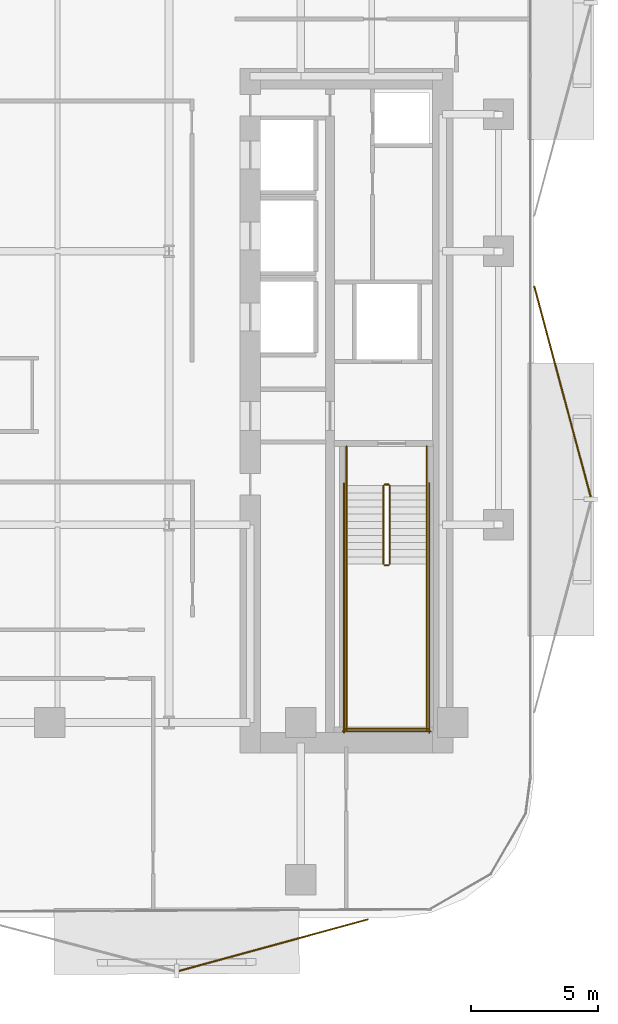
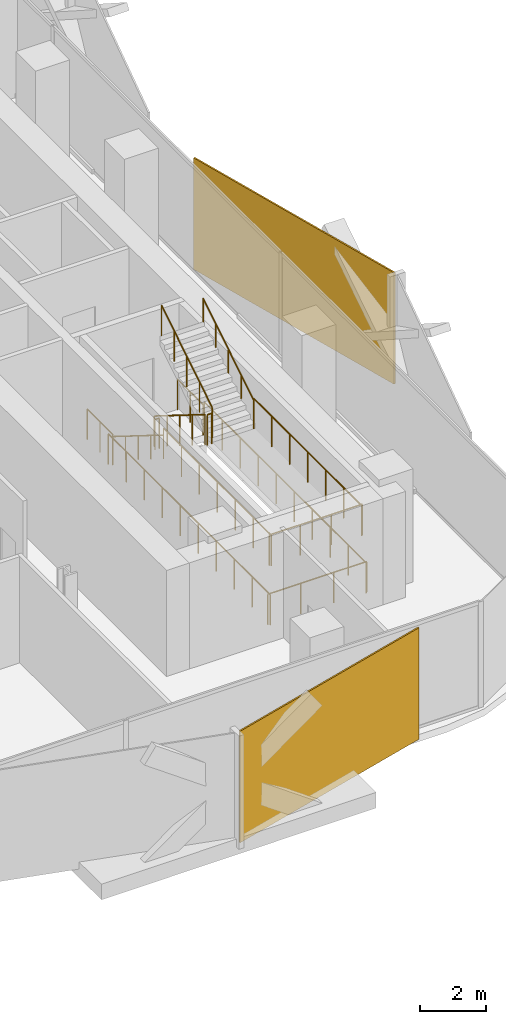
# One storey, part 13 of 15: 14 railings, 2 coverings.
"""IFC4 building model written with IfcOpenShell, lengths in metres."""

from ifc_helpers import new_model, si_unit, direction, frame, origin, origin_2d, place, context, subcontext, project, spatial, rectangle, circle, extrude, material, layer, layer_set, type_object, element, save


model = new_model("IFC4")

# Units and contexts
model_context = context("Model", 3, precision=1e-05, world=origin(), true_north=direction((0.0, 1.0)))
body_context = subcontext(model_context, "Body", "Model", "MODEL_VIEW")
ifc_project = project(units=[si_unit("LENGTHUNIT", "METRE"), si_unit("AREAUNIT", "SQUARE_METRE"), si_unit("VOLUMEUNIT", "CUBIC_METRE"), si_unit("PLANEANGLEUNIT", "RADIAN"), si_unit("MASSUNIT", "GRAM", prefix="KILO")], contexts=[model_context])

# Site, building, storey
site_placement = place(None, origin())
site = spatial("IfcSite", under=ifc_project, at=site_placement, CompositionType="ELEMENT")
building_placement = place(site_placement, origin())
building = spatial("IfcBuilding", under=site, at=building_placement, Name="Khairoan Windgate Tower", CompositionType="ELEMENT")
storey_placement = place(building_placement, frame((0.0, 0.0, 135.199951171875)))
storey = spatial("IfcBuildingStorey", under=building, at=storey_placement, Name="L31", CompositionType="ELEMENT", Elevation=135.199951171875)

# Coverings
ifc_material_1 = material(Name="Anodised Bronze Aluminium 6063-T6", Category="aluminium")
ifc_layer = layer(ifc_material_1, 0.054931640625, Name="Anodised Bronze Aluminium 6063-T6")
ifc_layer_set = layer_set([ifc_layer], Name="Anodised Bronze Aluminium 6063-T6")
covering_type = type_object("IfcCoveringType", Name="Perforated Bronze-Ceramic Folded Solar Screen Cladding BSC-1", PredefinedType="CLADDING", material=ifc_layer_set)
covering_1_placement = place(storey_placement, frame((13.326904296875, -27.384765625, -0.10009765625), z_axis=(0.0, 0.0, 1.0), x_axis=(-0.964649468762, -0.263536339841, 0.0)))
element("IfcCovering", 1, at=covering_1_placement, inside=storey, type_object=covering_type, Name="L31 Folded Bronze Solar Screen Facet 193L", PredefinedType="CLADDING", context=body_context, shape_type="SweptSolid", body=[
    extrude(rectangle(XDim=7.739013671875, YDim=0.054931640625, at=origin_2d()), origin(), (0.0, 0.0, 1.0), 4.139892578125),
])
covering_2_placement = place(storey_placement, frame((24.724609375, -5.542236328125, -0.10009765625), z_axis=(0.0, 0.0, 1.0), x_axis=(0.258819045103, -0.965925826289, 0.0)))
element("IfcCovering", 2, at=covering_2_placement, inside=storey, type_object=covering_type, Name="L31 Folded Bronze Solar Screen Facet 200L", PredefinedType="CLADDING", context=body_context, shape_type="SweptSolid", body=[
    extrude(rectangle(XDim=8.6201171875, YDim=0.054931640625, at=origin_2d()), origin(), (0.0, 0.0, 1.0), 4.139892578125),
])

# Railings
ifc_material_2 = material(Name="Anodised Bronze Aluminium 6063-T6", Category="aluminium")
railing_type_1 = type_object("IfcRailingType", Name="Stair Wall Handrail SHR-900", PredefinedType="HANDRAIL", material=ifc_material_2)
railing_1_placement = place(storey_placement, frame((16.199951171875, -9.260009765625, 0.175048828125)))
element("IfcRailing", 3, at=railing_1_placement, inside=storey, type_object=railing_type_1, Name="L31 ST1 stair handrail 1", PredefinedType="HANDRAIL", context=body_context, shape_type="SweptSolid", body=[
    extrude(circle(Radius=0.02392578125, at=origin_2d()), frame((0.0, 0.0, 0.8759765625), z_axis=(0.0, -0.847998304005, 0.529998940003), x_axis=(1.0, 0.0, 0.0)), (0.0, 0.0, 1.0), 3.632080078125),
    extrude(circle(Radius=0.02099609375, at=origin_2d()), origin(), (0.0, 0.0, 1.0), 0.851806640625),
    extrude(circle(Radius=0.02099609375, at=origin_2d()), frame((0.0, -0.77001953125, 0.481201171875)), (0.0, 0.0, 1.0), 0.851806640625),
    extrude(circle(Radius=0.02099609375, at=origin_2d()), frame((0.0, -1.5400390625, 0.96240234375)), (0.0, 0.0, 1.0), 0.851806640625),
    extrude(circle(Radius=0.02099609375, at=origin_2d()), frame((0.0, -2.31005859375, 1.44384765625)), (0.0, 0.0, 1.0), 0.851806640625),
    extrude(circle(Radius=0.02099609375, at=origin_2d()), frame((0.0, -3.080078125, 1.925048828125)), (0.0, 0.0, 1.0), 0.851806640625),
])
railing_2_placement = place(storey_placement, frame((19.3701171875, -12.340087890625, 2.275146484375)))
element("IfcRailing", 4, at=railing_2_placement, inside=storey, type_object=railing_type_1, Name="L31 ST1 stair handrail 2", PredefinedType="HANDRAIL", context=body_context, shape_type="SweptSolid", body=[
    extrude(circle(Radius=0.02392578125, at=origin_2d()), frame((0.0, 0.0, 0.8759765625), z_axis=(0.0, 0.848028513186, 0.529950602248), x_axis=(-1.0, 0.0, 0.0)), (0.0, 0.0, 1.0), 3.632080078125),
    extrude(circle(Radius=0.02099609375, at=origin_2d()), origin(), (0.0, 0.0, 1.0), 0.851806640625),
    extrude(circle(Radius=0.02099609375, at=origin_2d()), frame((0.0, 0.77001953125, 0.481201171875)), (0.0, 0.0, 1.0), 0.851806640625),
    extrude(circle(Radius=0.02099609375, at=origin_2d()), frame((0.0, 1.5400390625, 0.96240234375)), (0.0, 0.0, 1.0), 0.851806640625),
    extrude(circle(Radius=0.02099609375, at=origin_2d()), frame((0.0, 2.31005859375, 1.443603515625)), (0.0, 0.0, 1.0), 0.851806640625),
    extrude(circle(Radius=0.02099609375, at=origin_2d()), frame((0.0, 3.080078125, 1.9248046875)), (0.0, 0.0, 1.0), 0.851806640625),
])
ifc_material_3 = material(Name="Steel S355", Category="steel")
railing_type_2 = type_object("IfcRailingType", Name="Stairwell Safety Guardrail SGR-1150", PredefinedType="GUARDRAIL", material=ifc_material_3)
railing_3_placement = place(storey_placement, frame((17.659912109375, -9.260009765625, 0.175048828125)))
element("IfcRailing", 5, at=railing_3_placement, inside=storey, type_object=railing_type_2, Name="L31 ST1 stair guard 1", PredefinedType="GUARDRAIL", context=body_context, shape_type="SweptSolid", body=[
    extrude(circle(Radius=0.02392578125, at=origin_2d()), frame((0.0, 0.0, 1.1259765625), z_axis=(0.0, -0.847998304005, 0.529998940003), x_axis=(1.0, 0.0, 0.0)), (0.0, 0.0, 1.0), 3.632080078125),
    extrude(circle(Radius=0.02099609375, at=origin_2d()), origin(), (0.0, 0.0, 1.0), 1.101806640625),
    extrude(circle(Radius=0.02099609375, at=origin_2d()), frame((0.0, -0.77001953125, 0.481201171875)), (0.0, 0.0, 1.0), 1.101806640625),
    extrude(circle(Radius=0.02099609375, at=origin_2d()), frame((0.0, -1.5400390625, 0.96240234375)), (0.0, 0.0, 1.0), 1.101806640625),
    extrude(circle(Radius=0.02099609375, at=origin_2d()), frame((0.0, -2.31005859375, 1.44384765625)), (0.0, 0.0, 1.0), 1.101806640625),
    extrude(circle(Radius=0.02099609375, at=origin_2d()), frame((0.0, -3.080078125, 1.925048828125)), (0.0, 0.0, 1.0), 1.101806640625),
])
railing_4_placement = place(storey_placement, frame((17.7099609375, -12.389892578125, 2.10009765625)))
element("IfcRailing", 6, at=railing_4_placement, inside=storey, type_object=railing_type_2, Name="L31 ST1 stair guard 2", PredefinedType="GUARDRAIL", context=body_context, shape_type="SweptSolid", body=[
    extrude(circle(Radius=0.02392578125, at=origin_2d()), frame((0.0, 0.0, 1.1259765625), z_axis=(1.0, 0.0, 0.0), x_axis=(0.0, 1.0, 0.0)), (0.0, 0.0, 1.0), 0.150146484375),
    extrude(circle(Radius=0.02099609375, at=origin_2d()), origin(), (0.0, 0.0, 1.0), 1.101806640625),
    extrude(circle(Radius=0.02099609375, at=origin_2d()), frame((0.150146484375, 0.0, 0.0)), (0.0, 0.0, 1.0), 1.101806640625),
])
for number, where, name in (
    (7, (16.199951171875, -12.340087890625, 2.10009765625), "L31 ST1 stair guard 3"),
    (8, (19.3701171875, -12.340087890625, 2.10009765625), "L31 ST1 stair guard 4"),
):
    element("IfcRailing", number, at=place(storey_placement, frame(where)), inside=storey, type_object=railing_type_2, Name=name, PredefinedType="GUARDRAIL", context=body_context, shape_type="SweptSolid", body=[
        extrude(circle(Radius=0.02392578125, at=origin_2d()), frame((0.0, 0.0, 1.1259765625), z_axis=(0.0, -1.0, 0.0), x_axis=(1.0, 0.0, 0.0)), (0.0, 0.0, 1.0), 6.559814453125),
        extrude(circle(Radius=0.02099609375, at=origin_2d()), origin(), (0.0, 0.0, 1.0), 1.101806640625),
        extrude(circle(Radius=0.02099609375, at=origin_2d()), frame((0.0, -1.09326171875, 0.0)), (0.0, 0.0, 1.0), 1.101806640625),
        extrude(circle(Radius=0.02099609375, at=origin_2d()), frame((0.0, -2.1865234375, 0.0)), (0.0, 0.0, 1.0), 1.101806640625),
        extrude(circle(Radius=0.02099609375, at=origin_2d()), frame((0.0, -3.27978515625, 0.0)), (0.0, 0.0, 1.0), 1.101806640625),
        extrude(circle(Radius=0.02099609375, at=origin_2d()), frame((0.0, -4.373291015625, 0.0)), (0.0, 0.0, 1.0), 1.101806640625),
        extrude(circle(Radius=0.02099609375, at=origin_2d()), frame((0.0, -5.466552734375, 0.0)), (0.0, 0.0, 1.0), 1.101806640625),
        extrude(circle(Radius=0.02099609375, at=origin_2d()), frame((0.0, -6.559814453125, 0.0)), (0.0, 0.0, 1.0), 1.101806640625),
    ])
railing_5_placement = place(storey_placement, frame((16.14990234375, -18.85009765625, 2.10009765625)))
element("IfcRailing", 9, at=railing_5_placement, inside=storey, type_object=railing_type_2, Name="L31 ST1 stair guard 5", PredefinedType="GUARDRAIL", context=body_context, shape_type="SweptSolid", body=[
    extrude(circle(Radius=0.02392578125, at=origin_2d()), frame((0.0, 0.0, 1.1259765625), z_axis=(1.0, 0.0, 0.0), x_axis=(0.0, 1.0, 0.0)), (0.0, 0.0, 1.0), 3.27001953125),
    extrude(circle(Radius=0.02099609375, at=origin_2d()), origin(), (0.0, 0.0, 1.0), 1.101806640625),
    extrude(circle(Radius=0.02099609375, at=origin_2d()), frame((1.090087890625, 0.0, 0.0)), (0.0, 0.0, 1.0), 1.101806640625),
    extrude(circle(Radius=0.02099609375, at=origin_2d()), frame((2.179931640625, 0.0, 0.0)), (0.0, 0.0, 1.0), 1.101806640625),
    extrude(circle(Radius=0.02099609375, at=origin_2d()), frame((3.27001953125, 0.0, 0.0)), (0.0, 0.0, 1.0), 1.101806640625),
])
railing_6_placement = place(storey_placement, frame((17.909912109375, -12.340087890625, 2.275146484375)))
element("IfcRailing", 10, at=railing_6_placement, inside=storey, type_object=railing_type_2, Name="L31 ST1 stair guard 6", PredefinedType="GUARDRAIL", context=body_context, shape_type="SweptSolid", body=[
    extrude(circle(Radius=0.02392578125, at=origin_2d()), frame((0.0, 0.0, 1.1259765625), z_axis=(0.0, 0.848028513186, 0.529950602248), x_axis=(-1.0, 0.0, 0.0)), (0.0, 0.0, 1.0), 3.632080078125),
    extrude(circle(Radius=0.02099609375, at=origin_2d()), origin(), (0.0, 0.0, 1.0), 1.101806640625),
    extrude(circle(Radius=0.02099609375, at=origin_2d()), frame((0.0, 0.77001953125, 0.481201171875)), (0.0, 0.0, 1.0), 1.101806640625),
    extrude(circle(Radius=0.02099609375, at=origin_2d()), frame((0.0, 1.5400390625, 0.96240234375)), (0.0, 0.0, 1.0), 1.101806640625),
    extrude(circle(Radius=0.02099609375, at=origin_2d()), frame((0.0, 2.31005859375, 1.443603515625)), (0.0, 0.0, 1.0), 1.101806640625),
    extrude(circle(Radius=0.02099609375, at=origin_2d()), frame((0.0, 3.080078125, 1.9248046875)), (0.0, 0.0, 1.0), 1.101806640625),
])
railing_7_placement = place(storey_placement, frame((17.7099609375, -9.2099609375, 0.0)))
element("IfcRailing", 11, at=railing_7_placement, inside=storey, type_object=railing_type_2, Name="L31 ST1 stair guard 7", PredefinedType="GUARDRAIL", context=body_context, shape_type="SweptSolid", body=[
    extrude(circle(Radius=0.02392578125, at=origin_2d()), frame((0.0, 0.0, 1.1259765625), z_axis=(1.0, 0.0, 0.0), x_axis=(0.0, 1.0, 0.0)), (0.0, 0.0, 1.0), 0.150146484375),
    extrude(circle(Radius=0.02099609375, at=origin_2d()), origin(), (0.0, 0.0, 1.0), 1.101806640625),
    extrude(circle(Radius=0.02099609375, at=origin_2d()), frame((0.150146484375, 0.0, 0.0)), (0.0, 0.0, 1.0), 1.101806640625),
])
for number, where, name in (
    (12, (16.199951171875, -7.699951171875, 0.0), "L31 ST1 stair guard 8"),
    (13, (19.3701171875, -7.699951171875, 0.0), "L31 ST1 stair guard 9"),
):
    element("IfcRailing", number, at=place(storey_placement, frame(where)), inside=storey, type_object=railing_type_2, Name=name, PredefinedType="GUARDRAIL", context=body_context, shape_type="SweptSolid", body=[
        extrude(circle(Radius=0.02392578125, at=origin_2d()), frame((0.0, 0.0, 1.1259765625), z_axis=(0.0, -1.0, 0.0), x_axis=(1.0, 0.0, 0.0)), (0.0, 0.0, 1.0), 1.56005859375),
        extrude(circle(Radius=0.02099609375, at=origin_2d()), origin(), (0.0, 0.0, 1.0), 1.101806640625),
        extrude(circle(Radius=0.02099609375, at=origin_2d()), frame((0.0, -0.780029296875, 0.0)), (0.0, 0.0, 1.0), 1.101806640625),
        extrude(circle(Radius=0.02099609375, at=origin_2d()), frame((0.0, -1.56005859375, 0.0)), (0.0, 0.0, 1.0), 1.101806640625),
    ])
for number, where, name in (
    (14, (16.10009765625, -9.159912109375, 0.0), "L31 ST1 stair guard 10"),
    (15, (19.469970703125, -9.159912109375, 0.0), "L31 ST1 stair guard 11"),
):
    element("IfcRailing", number, at=place(storey_placement, frame(where)), inside=storey, type_object=railing_type_2, Name=name, PredefinedType="GUARDRAIL", context=body_context, shape_type="SweptSolid", body=[
        extrude(circle(Radius=0.02392578125, at=origin_2d()), frame((0.0, 0.0, 1.1259765625), z_axis=(0.0, -1.0, 0.0), x_axis=(1.0, 0.0, 0.0)), (0.0, 0.0, 1.0), 9.840087890625),
        extrude(circle(Radius=0.02099609375, at=origin_2d()), origin(), (0.0, 0.0, 1.0), 1.101806640625),
        extrude(circle(Radius=0.02099609375, at=origin_2d()), frame((0.0, -1.09326171875, 0.0)), (0.0, 0.0, 1.0), 1.101806640625),
        extrude(circle(Radius=0.02099609375, at=origin_2d()), frame((0.0, -2.186767578125, 0.0)), (0.0, 0.0, 1.0), 1.101806640625),
        extrude(circle(Radius=0.02099609375, at=origin_2d()), frame((0.0, -3.280029296875, 0.0)), (0.0, 0.0, 1.0), 1.101806640625),
        extrude(circle(Radius=0.02099609375, at=origin_2d()), frame((0.0, -4.373291015625, 0.0)), (0.0, 0.0, 1.0), 1.101806640625),
        extrude(circle(Radius=0.02099609375, at=origin_2d()), frame((0.0, -5.466796875, 0.0)), (0.0, 0.0, 1.0), 1.101806640625),
        extrude(circle(Radius=0.02099609375, at=origin_2d()), frame((0.0, -6.56005859375, 0.0)), (0.0, 0.0, 1.0), 1.101806640625),
        extrude(circle(Radius=0.02099609375, at=origin_2d()), frame((0.0, -7.6533203125, 0.0)), (0.0, 0.0, 1.0), 1.101806640625),
        extrude(circle(Radius=0.02099609375, at=origin_2d()), frame((0.0, -8.746826171875, 0.0)), (0.0, 0.0, 1.0), 1.101806640625),
        extrude(circle(Radius=0.02099609375, at=origin_2d()), frame((0.0, -9.840087890625, 0.0)), (0.0, 0.0, 1.0), 1.101806640625),
    ])
railing_8_placement = place(storey_placement, frame((16.050048828125, -18.949951171875, 0.0)))
element("IfcRailing", 16, at=railing_8_placement, inside=storey, type_object=railing_type_2, Name="L31 ST1 stair guard 12", PredefinedType="GUARDRAIL", context=body_context, shape_type="SweptSolid", body=[
    extrude(circle(Radius=0.02392578125, at=origin_2d()), frame((0.0, 0.0, 1.1259765625), z_axis=(1.0, 0.0, 0.0), x_axis=(0.0, 1.0, 0.0)), (0.0, 0.0, 1.0), 3.469970703125),
    extrude(circle(Radius=0.02099609375, at=origin_2d()), origin(), (0.0, 0.0, 1.0), 1.101806640625),
    extrude(circle(Radius=0.02099609375, at=origin_2d()), frame((1.15673828125, 0.0, 0.0)), (0.0, 0.0, 1.0), 1.101806640625),
    extrude(circle(Radius=0.02099609375, at=origin_2d()), frame((2.313232421875, 0.0, 0.0)), (0.0, 0.0, 1.0), 1.101806640625),
    extrude(circle(Radius=0.02099609375, at=origin_2d()), frame((3.469970703125, 0.0, 0.0)), (0.0, 0.0, 1.0), 1.101806640625),
])

save(model, "model.ifc")
